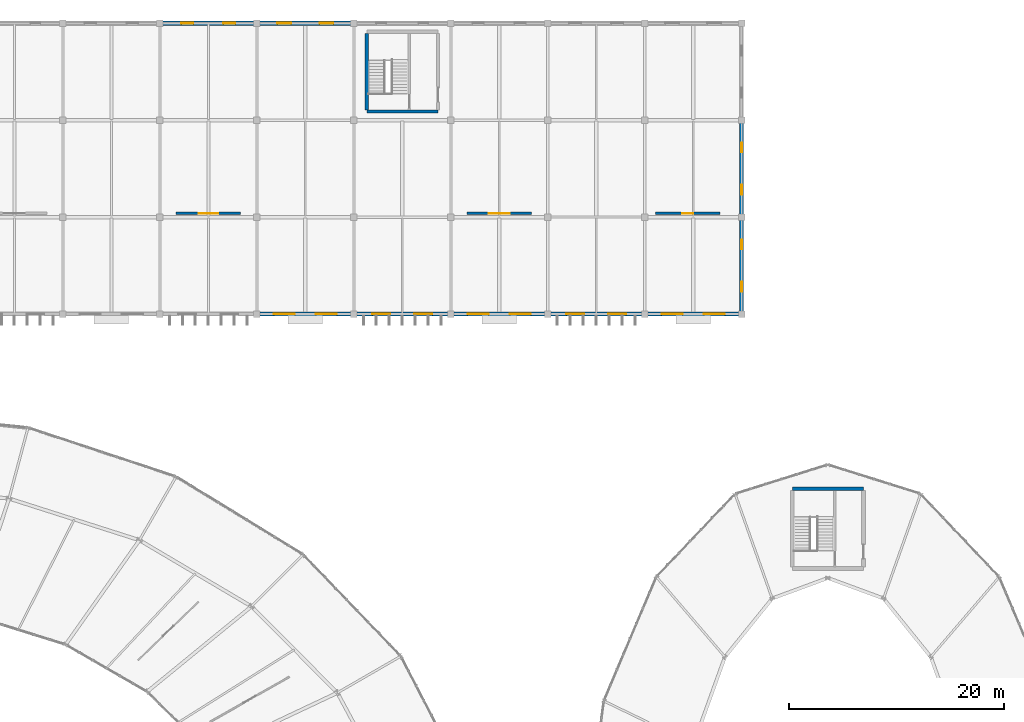
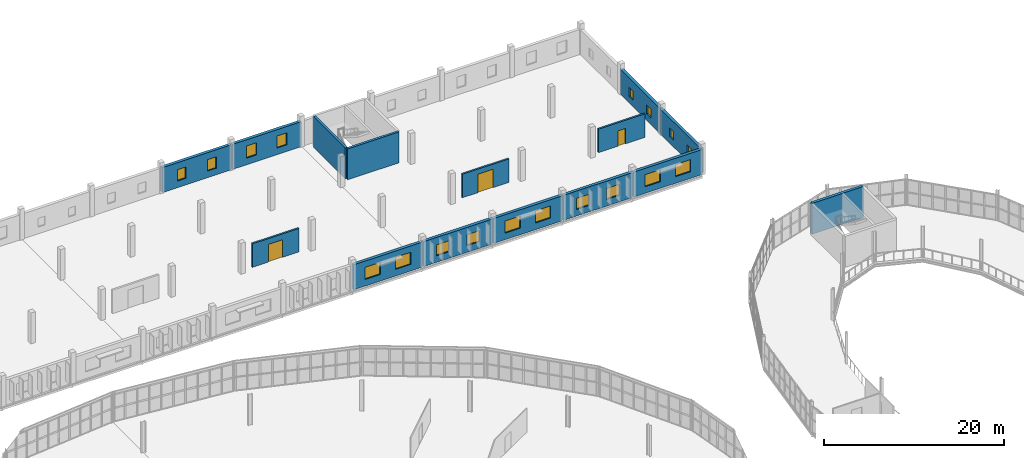
# One storey, part 147 of 161: 18 windows, 15 walls, 3 doors, 21 openings.
"""IFC4 building model written with IfcOpenShell, lengths in metres."""

import ifcopenshell
import ifcopenshell.guid

model = None  # the IFC model being written
_history = None  # IfcOwnerHistory: only IFC2X3 demands one
_inside = {}  # id of a spatial element -> (the spatial element, [elements in it])
_under = {}  # id of a project, library or spatial element -> (it, [spatial elements below it])
_declared = {}  # id of a project -> (the project, [libraries it declares])
_typed = {}  # id of a type object -> (the type object, [elements of that type])
_made_of = {}  # id of a material, layer set ... -> (it, [elements and type objects made of it])


def new_model(schema):
    """Start an empty IFC model of exactly this schema.

    Asked for "IFC4X3", IfcOpenShell would pick the latest addendum, in which some entities
    have other attributes; the version numbers below select the first issue.
    IFC2X3 requires an IfcOwnerHistory on every rooted entity: one is made here for all.
    """
    global model, _history
    if schema == "IFC4X3":
        model = ifcopenshell.file(schema_version=(4, 3, 0, 0))
    else:
        model = ifcopenshell.file(schema=schema)
    _inside.clear()
    _under.clear()
    _declared.clear()
    _typed.clear()
    _made_of.clear()
    _history = None
    if model.schema == "IFC2X3":
        org = make("IfcOrganization", Name="unknown")
        user = make(
            "IfcPersonAndOrganization",
            ThePerson=make("IfcPerson", FamilyName="unknown"),
            TheOrganization=org,
        )
        app = make(
            "IfcApplication",
            ApplicationDeveloper=org,
            Version="unknown",
            ApplicationFullName="unknown",
            ApplicationIdentifier="unknown",
        )
        _history = make(
            "IfcOwnerHistory",
            OwningUser=user,
            OwningApplication=app,
            ChangeAction="ADDED",
            CreationDate=0,
        )
    return model


def make(cls, **values):
    """One entity of the class cls with the attributes given. An attribute that is None is left unset."""
    return model.create_entity(
        cls, **{name: value for name, value in values.items() if value is not None}
    )


def rooted(cls, **values):
    """An entity with a GlobalId (a new one), such as an element, a storey or a relation."""
    return make(cls, GlobalId=ifcopenshell.guid.new(), OwnerHistory=_history, **values)


def si_unit(unit_type, name, prefix=None):
    """IfcSIUnit, for example si_unit("LENGTHUNIT", "METRE", prefix="MILLI")."""
    return make("IfcSIUnit", UnitType=unit_type, Prefix=prefix, Name=name)


def assignment(units):
    """IfcUnitAssignment: the units of a project."""
    return None if units is None else make("IfcUnitAssignment", Units=units)


def point(xyz):
    """IfcCartesianPoint."""
    return None if xyz is None else make("IfcCartesianPoint", Coordinates=xyz)


def direction(xyz):
    """IfcDirection."""
    return None if xyz is None else make("IfcDirection", DirectionRatios=xyz)


def frame(location, z_axis=None, x_axis=None):
    """IfcAxis2Placement3D, a coordinate frame: its origin and axes. An axis left out is left unset."""
    return make(
        "IfcAxis2Placement3D",
        Location=point(location),
        Axis=direction(z_axis),
        RefDirection=direction(x_axis),
    )


def frame_2d(location, x_axis=None):
    """IfcAxis2Placement2D, a coordinate frame in the plane: its origin and x axis."""
    return make(
        "IfcAxis2Placement2D", Location=point(location), RefDirection=direction(x_axis)
    )


def origin():
    """The frame at (0, 0, 0) with its axes left unset."""
    return frame((0.0, 0.0, 0.0))


def place(relative_to, where):
    """IfcLocalPlacement: puts the frame where relative to a parent placement (None: the world)."""
    return make(
        "IfcLocalPlacement", PlacementRelTo=relative_to, RelativePlacement=where
    )


def context(
    kind, dimensions, precision=None, world=None, true_north=None, identifier=None
):
    """IfcGeometricRepresentationContext, for example the 3D "Model" context."""
    return make(
        "IfcGeometricRepresentationContext",
        ContextIdentifier=identifier,
        ContextType=kind,
        CoordinateSpaceDimension=dimensions,
        Precision=precision,
        WorldCoordinateSystem=world,
        TrueNorth=true_north,
    )


def subcontext(parent, identifier, kind, view, scale=None):
    """IfcGeometricRepresentationSubContext, for example "Body" below "Model"."""
    return make(
        "IfcGeometricRepresentationSubContext",
        ContextIdentifier=identifier,
        ContextType=kind,
        ParentContext=parent,
        TargetScale=scale,
        TargetView=view,
    )


def project(units=None, contexts=None):
    """IfcProject with its units and contexts."""
    return rooted(
        "IfcProject",
        Name="project",
        RepresentationContexts=contexts,
        UnitsInContext=assignment(units),
    )


def spatial(cls, under=None, at=None, **own):
    """A site, building, storey or space (cls), placed at a placement, below another one or the project."""
    s = rooted(cls, ObjectPlacement=at, **own)
    if under is not None:
        _under.setdefault(under.id(), (under, []))[1].append(s)
    return s


def profile(cls, at=None, kind="AREA", **sizes):
    """A parametric profile (cls). Its sizes go by their IFC names, for example OverallWidth=200.0."""
    return make(cls, ProfileType=kind, Position=at, **sizes)


def rectangle(**sizes):
    """IfcRectangleProfileDef."""
    return profile("IfcRectangleProfileDef", **sizes)


def extrude(swept, where, along, depth):
    """IfcExtrudedAreaSolid: the profile swept, set in the frame where, extruded along a direction by depth."""
    return make(
        "IfcExtrudedAreaSolid",
        SweptArea=swept,
        Position=where,
        ExtrudedDirection=direction(along),
        Depth=depth,
    )


def shape(context_of_items, identifier, shape_type, items):
    """IfcShapeRepresentation: the items that make up one representation, for example the "Body"."""
    return make(
        "IfcShapeRepresentation",
        ContextOfItems=context_of_items,
        RepresentationIdentifier=identifier,
        RepresentationType=shape_type,
        Items=items,
    )


def material(Name=None, Category=None):
    """IfcMaterial."""
    return make("IfcMaterial", Name=Name, Category=Category)


def layer(
    of_material, thickness, ventilated=None, Name=None, Category=None, Priority=None
):
    """IfcMaterialLayer: one layer of a wall or slab, of a material (None: an air gap)."""
    return make(
        "IfcMaterialLayer",
        Material=of_material,
        LayerThickness=thickness,
        IsVentilated=ventilated,
        Name=Name,
        Category=Category,
        Priority=Priority,
    )


def layer_set(layers, Name=None):
    """IfcMaterialLayerSet."""
    return make("IfcMaterialLayerSet", MaterialLayers=layers, LayerSetName=Name)


def made_of(thing, what):
    """Note that an element or type object is made of a material, layer set ...; save() writes the relation."""
    if what is not None:
        _made_of.setdefault(what.id(), (what, []))[1].append(thing)
    return thing


def type_object(cls, material=None, **own):
    """A type object (cls), such as IfcWallType, which elements share."""
    return made_of(rooted(cls, **own), material)


def element(
    cls,
    number,
    at=None,
    inside=None,
    cuts=None,
    type_object=None,
    material=None,
    context=None,
    identifier="Body",
    shape_type=None,
    held_by="IfcProductDefinitionShape",
    body=None,
    shapes=None,
    **own,
):
    """One element of the class cls, such as IfcWall. Its Tag is "e" and its number.

    at: its placement. inside: the storey or other place that contains it. cuts: it is an
    opening in that element (IfcRelVoidsElement). A single representation is given by context,
    identifier, shape_type and body (its items); several are given by shapes. held_by: the class
    of the entity that holds the representations. save() writes the other relations.
    """
    e = rooted(cls, Tag="e%d" % number, ObjectPlacement=at, **own)
    if body is not None:
        shapes = [shape(context, identifier, shape_type, body)]
    if shapes is not None:
        e.Representation = make(held_by, Representations=shapes)
    if inside is not None:
        _inside.setdefault(inside.id(), (inside, []))[1].append(e)
    if cuts is not None:
        rooted(
            "IfcRelVoidsElement", RelatingBuildingElement=cuts, RelatedOpeningElement=e
        )
    if type_object is not None:
        _typed.setdefault(type_object.id(), (type_object, []))[1].append(e)
    return made_of(e, material)


def fill(opening, filler):
    """IfcRelFillsElement: the door or window that sits in an opening."""
    return rooted(
        "IfcRelFillsElement",
        RelatingOpeningElement=opening,
        RelatedBuildingElement=filler,
    )


def aggregate(whole, parts):
    """IfcRelAggregates: a whole, such as a stair, and the parts it consists of."""
    return rooted("IfcRelAggregates", RelatingObject=whole, RelatedObjects=parts)


def save(model, path):
    """Write the relations noted so far, then the file.

    IfcRelAggregates (storeys below a building ...), IfcRelContainedInSpatialStructure (elements
    in a storey), IfcRelDefinesByType, IfcRelAssociatesMaterial and IfcRelDeclares: one each for
    every whole, place, type object, material and project.
    """
    for whole, parts in _under.values():
        aggregate(whole, parts)
    for where, things in _inside.values():
        rooted(
            "IfcRelContainedInSpatialStructure",
            RelatedElements=things,
            RelatingStructure=where,
        )
    for kind, things in _typed.values():
        rooted("IfcRelDefinesByType", RelatedObjects=things, RelatingType=kind)
    for what, things in _made_of.values():
        rooted("IfcRelAssociatesMaterial", RelatedObjects=things, RelatingMaterial=what)
    for by, libraries in _declared.values():
        rooted("IfcRelDeclares", RelatingContext=by, RelatedDefinitions=libraries)
    model.write(path)


model = new_model("IFC4")

# Units and contexts
model_context = context("Model", 3, precision=1e-05, world=origin(), true_north=direction((0.0, 1.0)))
body_context = subcontext(model_context, "Body", "Model", "MODEL_VIEW")
ifc_project = project(units=[si_unit("LENGTHUNIT", "METRE"), si_unit("AREAUNIT", "SQUARE_METRE"), si_unit("VOLUMEUNIT", "CUBIC_METRE"), si_unit("PLANEANGLEUNIT", "RADIAN"), si_unit("MASSUNIT", "GRAM", prefix="KILO")], contexts=[model_context])

# Site, building, storey
site_placement = place(None, origin())
site = spatial("IfcSite", under=ifc_project, at=site_placement, CompositionType="ELEMENT")
building_placement = place(site_placement, origin())
building = spatial("IfcBuilding", under=site, at=building_placement, Name="Kildeholm Park Wholesale Market", CompositionType="ELEMENT")
storey_placement = place(building_placement, frame((0.0, 0.0, 5.39990234375)))
storey = spatial("IfcBuildingStorey", under=building, at=storey_placement, Name="L01", CompositionType="ELEMENT", Elevation=5.39990234375)

# Wall, openings, windows
ifc_material_1 = material(Name="Precast concrete C40/50 insulated cold-store envelope wall", Category="concrete")
ifc_layer_1 = layer(ifc_material_1, 0.3798828125)
ifc_layer_set_1 = layer_set([ifc_layer_1], Name="Precast concrete C40/50 insulated cold-store envelope wall")
wall_type_1 = type_object("IfcWallType", Name="Exterior wall W-CS1 380 mm", PredefinedType="SOLIDWALL", material=ifc_layer_set_1)
wall_1_placement = place(storey_placement, frame((126.06005859375, 171.0, 0.0), z_axis=(0.0, 0.0, 1.0), x_axis=(1.0, 0.0, 0.0)))
wall_1 = element("IfcWall", 1, at=wall_1_placement, inside=storey, type_object=wall_type_1, Name="Exterior wall V4N-L01.15 WL-0351", PredefinedType="SOLIDWALL", context=body_context, shape_type="SweptSolid", body=[
    extrude(rectangle(XDim=8.8798828125, YDim=0.3798828125, at=frame_2d((4.43994140625, 0.0))), origin(), (0.0, 0.0, 1.0), 3.400146484375),
])
opening_1_placement = place(wall_1_placement, frame((1.926025390625, 0.0, 0.89990234375)))
opening_1 = element("IfcOpeningElement", 2, at=opening_1_placement, cuts=wall_1, Name="Opening WN-35", PredefinedType="OPENING", context=body_context, shape_type="SweptSolid", body=[
    extrude(rectangle(XDim=1.1201171875, YDim=1.550048828125, at=frame_2d((0.56005859375, 0.77490234375))), frame((0.0, 0.199951171875, 0.0), z_axis=(0.0, -1.0, 0.0), x_axis=(1.0, 0.0, 0.0)), (0.0, 0.0, 1.0), 0.39990234375),
])
opening_2_placement = place(wall_1_placement, frame((5.833984375, 0.0, 0.89990234375)))
opening_2 = element("IfcOpeningElement", 3, at=opening_2_placement, cuts=wall_1, Name="Opening WN-35", PredefinedType="OPENING", context=body_context, shape_type="SweptSolid", body=[
    extrude(rectangle(XDim=1.1201171875, YDim=1.550048828125, at=frame_2d((0.56005859375, 0.77490234375))), frame((0.0, 0.199951171875, 0.0), z_axis=(0.0, -1.0, 0.0), x_axis=(1.0, 0.0, 0.0)), (0.0, 0.0, 1.0), 0.39990234375),
])
ifc_material_2 = material(Name="Thermally broken aluminium and triple-glazed low-E glass", Category="aluminium")
window_type_1 = type_object("IfcWindowType", Name="Window WN-35 1120x1550", PartitioningType="SINGLE_PANEL", PredefinedType="WINDOW", material=ifc_material_2)
window_1_placement = place(opening_1_placement, origin())
window_1 = element("IfcWindow", 4, at=window_1_placement, inside=storey, type_object=window_type_1, Name="Window V4N-L01.15.1 WIN-0129", OverallHeight=1.550048828125, OverallWidth=1.1201171875, PartitioningType="SINGLE_PANEL", PredefinedType="WINDOW", context=body_context, shape_type="SweptSolid", body=[
    extrude(rectangle(XDim=1.1201171875, YDim=1.550048828125, at=frame_2d((0.56005859375, 0.77490234375))), frame((0.0, 0.030029296875, 0.0), z_axis=(0.0, -1.0, 0.0), x_axis=(1.0, 0.0, 0.0)), (0.0, 0.0, 1.0), 0.06005859375),
])
fill(opening_1, window_1)
window_2_placement = place(opening_2_placement, origin())
window_2 = element("IfcWindow", 5, at=window_2_placement, inside=storey, type_object=window_type_1, Name="Window V4N-L01.15.2 WIN-0130", OverallHeight=1.550048828125, OverallWidth=1.1201171875, PartitioningType="SINGLE_PANEL", PredefinedType="WINDOW", context=body_context, shape_type="SweptSolid", body=[
    extrude(rectangle(XDim=1.1201171875, YDim=1.550048828125, at=frame_2d((0.56005859375, 0.77490234375))), frame((0.0, 0.030029296875, 0.0), z_axis=(0.0, -1.0, 0.0), x_axis=(1.0, 0.0, 0.0)), (0.0, 0.0, 1.0), 0.06005859375),
])
fill(opening_2, window_2)

wall_2_placement = place(storey_placement, frame((135.06005859375, 171.0, 0.0), z_axis=(0.0, 0.0, 1.0), x_axis=(1.0, 0.0, 0.0)))
wall_2 = element("IfcWall", 6, at=wall_2_placement, inside=storey, type_object=wall_type_1, Name="Exterior wall V4N-L01.16 WL-0352", PredefinedType="SOLIDWALL", context=body_context, shape_type="SweptSolid", body=[
    extrude(rectangle(XDim=8.8798828125, YDim=0.3798828125, at=frame_2d((4.43994140625, 0.0))), origin(), (0.0, 0.0, 1.0), 3.400146484375),
])
opening_3_placement = place(wall_2_placement, frame((1.845947265625, 0.0, 0.89990234375)))
opening_3 = element("IfcOpeningElement", 7, at=opening_3_placement, cuts=wall_2, Name="Opening WN-36", PredefinedType="OPENING", context=body_context, shape_type="SweptSolid", body=[
    extrude(rectangle(XDim=1.280029296875, YDim=1.64990234375, at=frame_2d((0.64013671875, 0.824951171875))), frame((0.0, 0.199951171875, 0.0), z_axis=(0.0, -1.0, 0.0), x_axis=(1.0, 0.0, 0.0)), (0.0, 0.0, 1.0), 0.39990234375),
])
opening_4_placement = place(wall_2_placement, frame((5.75390625, 0.0, 0.89990234375)))
opening_4 = element("IfcOpeningElement", 8, at=opening_4_placement, cuts=wall_2, Name="Opening WN-36", PredefinedType="OPENING", context=body_context, shape_type="SweptSolid", body=[
    extrude(rectangle(XDim=1.280029296875, YDim=1.64990234375, at=frame_2d((0.64013671875, 0.824951171875))), frame((0.0, 0.199951171875, 0.0), z_axis=(0.0, -1.0, 0.0), x_axis=(1.0, 0.0, 0.0)), (0.0, 0.0, 1.0), 0.39990234375),
])
window_type_2 = type_object("IfcWindowType", Name="Window WN-36 1280x1650", PartitioningType="DOUBLE_PANEL_VERTICAL", PredefinedType="WINDOW", material=ifc_material_2)
window_3_placement = place(opening_3_placement, origin())
window_3 = element("IfcWindow", 9, at=window_3_placement, inside=storey, type_object=window_type_2, Name="Window V4N-L01.16.1 WIN-0131", OverallHeight=1.64990234375, OverallWidth=1.280029296875, PartitioningType="SINGLE_PANEL", PredefinedType="WINDOW", context=body_context, shape_type="SweptSolid", body=[
    extrude(rectangle(XDim=1.280029296875, YDim=1.64990234375, at=frame_2d((0.64013671875, 0.824951171875))), frame((0.0, 0.030029296875, 0.0), z_axis=(0.0, -1.0, 0.0), x_axis=(1.0, 0.0, 0.0)), (0.0, 0.0, 1.0), 0.06005859375),
])
fill(opening_3, window_3)
window_4_placement = place(opening_4_placement, origin())
window_4 = element("IfcWindow", 10, at=window_4_placement, inside=storey, type_object=window_type_2, Name="Window V4N-L01.16.2 WIN-0132", OverallHeight=1.64990234375, OverallWidth=1.280029296875, PartitioningType="SINGLE_PANEL", PredefinedType="WINDOW", context=body_context, shape_type="SweptSolid", body=[
    extrude(rectangle(XDim=1.280029296875, YDim=1.64990234375, at=frame_2d((0.64013671875, 0.824951171875))), frame((0.0, 0.030029296875, 0.0), z_axis=(0.0, -1.0, 0.0), x_axis=(1.0, 0.0, 0.0)), (0.0, 0.0, 1.0), 0.06005859375),
])
fill(opening_4, window_4)

wall_3_placement = place(storey_placement, frame((180.0, 144.06005859375, 0.0), z_axis=(0.0, 0.0, 1.0), x_axis=(0.0, 1.0, 0.0)))
wall_3 = element("IfcWall", 11, at=wall_3_placement, inside=storey, type_object=wall_type_1, Name="Exterior wall V4E-L01.1 WL-0432", PredefinedType="SOLIDWALL", context=body_context, shape_type="SweptSolid", body=[
    extrude(rectangle(XDim=8.8798828125, YDim=0.3798828125, at=frame_2d((4.43994140625, 0.0))), origin(), (0.0, 0.0, 1.0), 3.400146484375),
])
opening_5_placement = place(wall_3_placement, frame((2.035888671875, 0.0, 0.89990234375)))
opening_5 = element("IfcOpeningElement", 12, at=opening_5_placement, cuts=wall_3, Name="Opening WN-17", PredefinedType="OPENING", context=body_context, shape_type="SweptSolid", body=[
    extrude(rectangle(XDim=0.89990234375, YDim=1.199951171875, at=frame_2d((0.449951171875, 0.60009765625))), frame((0.0, 0.199951171875, 0.0), z_axis=(0.0, -1.0, 0.0), x_axis=(1.0, 0.0, 0.0)), (0.0, 0.0, 1.0), 0.39990234375),
])
opening_6_placement = place(wall_3_placement, frame((5.944091796875, 0.0, 0.89990234375)))
opening_6 = element("IfcOpeningElement", 13, at=opening_6_placement, cuts=wall_3, Name="Opening WN-17", PredefinedType="OPENING", context=body_context, shape_type="SweptSolid", body=[
    extrude(rectangle(XDim=0.89990234375, YDim=1.199951171875, at=frame_2d((0.449951171875, 0.60009765625))), frame((0.0, 0.199951171875, 0.0), z_axis=(0.0, -1.0, 0.0), x_axis=(1.0, 0.0, 0.0)), (0.0, 0.0, 1.0), 0.39990234375),
])
window_type_3 = type_object("IfcWindowType", Name="Window WN-17 900x1200", PartitioningType="SINGLE_PANEL", PredefinedType="WINDOW", material=ifc_material_2)
window_5_placement = place(opening_5_placement, origin())
window_5 = element("IfcWindow", 14, at=window_5_placement, inside=storey, type_object=window_type_3, Name="Window V4E-L01.1.1 WIN-0223", OverallHeight=1.199951171875, OverallWidth=0.89990234375, PartitioningType="SINGLE_PANEL", PredefinedType="WINDOW", context=body_context, shape_type="SweptSolid", body=[
    extrude(rectangle(XDim=0.89990234375, YDim=1.199951171875, at=frame_2d((0.449951171875, 0.60009765625))), frame((0.0, 0.030029296875, 0.0), z_axis=(0.0, -1.0, 0.0), x_axis=(1.0, 0.0, 0.0)), (0.0, 0.0, 1.0), 0.06005859375),
])
fill(opening_5, window_5)
window_6_placement = place(opening_6_placement, origin())
window_6 = element("IfcWindow", 15, at=window_6_placement, inside=storey, type_object=window_type_3, Name="Window V4E-L01.1.2 WIN-0224", OverallHeight=1.199951171875, OverallWidth=0.89990234375, PartitioningType="SINGLE_PANEL", PredefinedType="WINDOW", context=body_context, shape_type="SweptSolid", body=[
    extrude(rectangle(XDim=0.89990234375, YDim=1.199951171875, at=frame_2d((0.449951171875, 0.60009765625))), frame((0.0, 0.030029296875, 0.0), z_axis=(0.0, -1.0, 0.0), x_axis=(1.0, 0.0, 0.0)), (0.0, 0.0, 1.0), 0.06005859375),
])
fill(opening_6, window_6)

wall_4_placement = place(storey_placement, frame((180.0, 153.06005859375, 0.0), z_axis=(0.0, 0.0, 1.0), x_axis=(0.0, 1.0, 0.0)))
wall_4 = element("IfcWall", 16, at=wall_4_placement, inside=storey, type_object=wall_type_1, Name="Exterior wall V4E-L01.2 WL-0433", PredefinedType="SOLIDWALL", context=body_context, shape_type="SweptSolid", body=[
    extrude(rectangle(XDim=8.8798828125, YDim=0.3798828125, at=frame_2d((4.43994140625, 0.0))), origin(), (0.0, 0.0, 1.0), 3.400146484375),
])
opening_7_placement = place(wall_4_placement, frame((2.035888671875, 0.0, 0.89990234375)))
opening_7 = element("IfcOpeningElement", 17, at=opening_7_placement, cuts=wall_4, Name="Opening WN-17", PredefinedType="OPENING", context=body_context, shape_type="SweptSolid", body=[
    extrude(rectangle(XDim=0.89990234375, YDim=1.199951171875, at=frame_2d((0.449951171875, 0.60009765625))), frame((0.0, 0.199951171875, 0.0), z_axis=(0.0, -1.0, 0.0), x_axis=(1.0, 0.0, 0.0)), (0.0, 0.0, 1.0), 0.39990234375),
])
opening_8_placement = place(wall_4_placement, frame((5.944091796875, 0.0, 0.89990234375)))
opening_8 = element("IfcOpeningElement", 18, at=opening_8_placement, cuts=wall_4, Name="Opening WN-17", PredefinedType="OPENING", context=body_context, shape_type="SweptSolid", body=[
    extrude(rectangle(XDim=0.89990234375, YDim=1.199951171875, at=frame_2d((0.449951171875, 0.60009765625))), frame((0.0, 0.199951171875, 0.0), z_axis=(0.0, -1.0, 0.0), x_axis=(1.0, 0.0, 0.0)), (0.0, 0.0, 1.0), 0.39990234375),
])
window_7_placement = place(opening_7_placement, origin())
window_7 = element("IfcWindow", 19, at=window_7_placement, inside=storey, type_object=window_type_3, Name="Window V4E-L01.2.1 WIN-0225", OverallHeight=1.199951171875, OverallWidth=0.89990234375, PartitioningType="SINGLE_PANEL", PredefinedType="WINDOW", context=body_context, shape_type="SweptSolid", body=[
    extrude(rectangle(XDim=0.89990234375, YDim=1.199951171875, at=frame_2d((0.449951171875, 0.60009765625))), frame((0.0, 0.030029296875, 0.0), z_axis=(0.0, -1.0, 0.0), x_axis=(1.0, 0.0, 0.0)), (0.0, 0.0, 1.0), 0.06005859375),
])
fill(opening_7, window_7)
window_8_placement = place(opening_8_placement, origin())
window_8 = element("IfcWindow", 20, at=window_8_placement, inside=storey, type_object=window_type_3, Name="Window V4E-L01.2.2 WIN-0226", OverallHeight=1.199951171875, OverallWidth=0.89990234375, PartitioningType="SINGLE_PANEL", PredefinedType="WINDOW", context=body_context, shape_type="SweptSolid", body=[
    extrude(rectangle(XDim=0.89990234375, YDim=1.199951171875, at=frame_2d((0.449951171875, 0.60009765625))), frame((0.0, 0.030029296875, 0.0), z_axis=(0.0, -1.0, 0.0), x_axis=(1.0, 0.0, 0.0)), (0.0, 0.0, 1.0), 0.06005859375),
])
fill(opening_8, window_8)

wall_5_placement = place(storey_placement, frame((135.06005859375, 144.0, 0.0), z_axis=(0.0, 0.0, 1.0), x_axis=(1.0, 0.0, 0.0)))
wall_5 = element("IfcWall", 21, at=wall_5_placement, inside=storey, type_object=wall_type_1, Name="Exterior wall V4S-L01.12 WL-0464", PredefinedType="SOLIDWALL", context=body_context, shape_type="SweptSolid", body=[
    extrude(rectangle(XDim=8.8798828125, YDim=0.3798828125, at=frame_2d((4.43994140625, 0.0))), origin(), (0.0, 0.0, 1.0), 3.400146484375),
])
opening_9_placement = place(wall_5_placement, frame((1.510986328125, 0.0, 0.89990234375)))
opening_9 = element("IfcOpeningElement", 22, at=opening_9_placement, cuts=wall_5, Name="Opening WN-22", PredefinedType="OPENING", context=body_context, shape_type="SweptSolid", body=[
    extrude(rectangle(XDim=1.949951171875, YDim=1.64990234375, at=frame_2d((0.97509765625, 0.824951171875))), frame((0.0, 0.199951171875, 0.0), z_axis=(0.0, -1.0, 0.0), x_axis=(1.0, 0.0, 0.0)), (0.0, 0.0, 1.0), 0.39990234375),
])
opening_10_placement = place(wall_5_placement, frame((5.4189453125, 0.0, 0.89990234375)))
opening_10 = element("IfcOpeningElement", 23, at=opening_10_placement, cuts=wall_5, Name="Opening WN-22", PredefinedType="OPENING", context=body_context, shape_type="SweptSolid", body=[
    extrude(rectangle(XDim=1.949951171875, YDim=1.64990234375, at=frame_2d((0.97509765625, 0.824951171875))), frame((0.0, 0.199951171875, 0.0), z_axis=(0.0, -1.0, 0.0), x_axis=(1.0, 0.0, 0.0)), (0.0, 0.0, 1.0), 0.39990234375),
])
window_type_4 = type_object("IfcWindowType", Name="Window WN-22 1950x1650", PartitioningType="DOUBLE_PANEL_VERTICAL", PredefinedType="WINDOW", material=ifc_material_2)
window_9_placement = place(opening_9_placement, origin())
window_9 = element("IfcWindow", 24, at=window_9_placement, inside=storey, type_object=window_type_4, Name="Window V4S-L01.12.1 WIN-0255", OverallHeight=1.64990234375, OverallWidth=1.949951171875, PartitioningType="SINGLE_PANEL", PredefinedType="WINDOW", context=body_context, shape_type="SweptSolid", body=[
    extrude(rectangle(XDim=1.949951171875, YDim=1.64990234375, at=frame_2d((0.97509765625, 0.824951171875))), frame((0.0, 0.030029296875, 0.0), z_axis=(0.0, -1.0, 0.0), x_axis=(1.0, 0.0, 0.0)), (0.0, 0.0, 1.0), 0.06005859375),
])
fill(opening_9, window_9)
window_10_placement = place(opening_10_placement, origin())
window_10 = element("IfcWindow", 25, at=window_10_placement, inside=storey, type_object=window_type_4, Name="Window V4S-L01.12.2 WIN-0256", OverallHeight=1.64990234375, OverallWidth=1.949951171875, PartitioningType="SINGLE_PANEL", PredefinedType="WINDOW", context=body_context, shape_type="SweptSolid", body=[
    extrude(rectangle(XDim=1.949951171875, YDim=1.64990234375, at=frame_2d((0.97509765625, 0.824951171875))), frame((0.0, 0.030029296875, 0.0), z_axis=(0.0, -1.0, 0.0), x_axis=(1.0, 0.0, 0.0)), (0.0, 0.0, 1.0), 0.06005859375),
])
fill(opening_10, window_10)

wall_6_placement = place(storey_placement, frame((144.06005859375, 144.0, 0.0), z_axis=(0.0, 0.0, 1.0), x_axis=(1.0, 0.0, 0.0)))
wall_6 = element("IfcWall", 26, at=wall_6_placement, inside=storey, type_object=wall_type_1, Name="Exterior wall V4S-L01.13 WL-0465", PredefinedType="SOLIDWALL", context=body_context, shape_type="SweptSolid", body=[
    extrude(rectangle(XDim=8.8798828125, YDim=0.3798828125, at=frame_2d((4.43994140625, 0.0))), origin(), (0.0, 0.0, 1.0), 3.400146484375),
])
opening_11_placement = place(wall_6_placement, frame((1.660888671875, 0.0, 0.89990234375)))
opening_11 = element("IfcOpeningElement", 27, at=opening_11_placement, cuts=wall_6, Name="Opening WN-11", PredefinedType="OPENING", context=body_context, shape_type="SweptSolid", body=[
    extrude(rectangle(XDim=1.64990234375, YDim=1.5, at=frame_2d((0.824951171875, 0.75))), frame((0.0, 0.199951171875, 0.0), z_axis=(0.0, -1.0, 0.0), x_axis=(1.0, 0.0, 0.0)), (0.0, 0.0, 1.0), 0.39990234375),
])
opening_12_placement = place(wall_6_placement, frame((5.569091796875, 0.0, 0.89990234375)))
opening_12 = element("IfcOpeningElement", 28, at=opening_12_placement, cuts=wall_6, Name="Opening WN-11", PredefinedType="OPENING", context=body_context, shape_type="SweptSolid", body=[
    extrude(rectangle(XDim=1.64990234375, YDim=1.5, at=frame_2d((0.824951171875, 0.75))), frame((0.0, 0.199951171875, 0.0), z_axis=(0.0, -1.0, 0.0), x_axis=(1.0, 0.0, 0.0)), (0.0, 0.0, 1.0), 0.39990234375),
])
window_type_5 = type_object("IfcWindowType", Name="Window WN-11 1650x1500", PartitioningType="DOUBLE_PANEL_VERTICAL", PredefinedType="WINDOW", material=ifc_material_2)
window_11_placement = place(opening_11_placement, origin())
window_11 = element("IfcWindow", 29, at=window_11_placement, inside=storey, type_object=window_type_5, Name="Window V4S-L01.13.1 WIN-0257", OverallHeight=1.5, OverallWidth=1.64990234375, PartitioningType="SINGLE_PANEL", PredefinedType="WINDOW", context=body_context, shape_type="SweptSolid", body=[
    extrude(rectangle(XDim=1.64990234375, YDim=1.5, at=frame_2d((0.824951171875, 0.75))), frame((0.0, 0.030029296875, 0.0), z_axis=(0.0, -1.0, 0.0), x_axis=(1.0, 0.0, 0.0)), (0.0, 0.0, 1.0), 0.06005859375),
])
fill(opening_11, window_11)
window_12_placement = place(opening_12_placement, origin())
window_12 = element("IfcWindow", 30, at=window_12_placement, inside=storey, type_object=window_type_5, Name="Window V4S-L01.13.2 WIN-0258", OverallHeight=1.5, OverallWidth=1.64990234375, PartitioningType="SINGLE_PANEL", PredefinedType="WINDOW", context=body_context, shape_type="SweptSolid", body=[
    extrude(rectangle(XDim=1.64990234375, YDim=1.5, at=frame_2d((0.824951171875, 0.75))), frame((0.0, 0.030029296875, 0.0), z_axis=(0.0, -1.0, 0.0), x_axis=(1.0, 0.0, 0.0)), (0.0, 0.0, 1.0), 0.06005859375),
])
fill(opening_12, window_12)

wall_7_placement = place(storey_placement, frame((153.06005859375, 144.0, 0.0), z_axis=(0.0, 0.0, 1.0), x_axis=(1.0, 0.0, 0.0)))
wall_7 = element("IfcWall", 31, at=wall_7_placement, inside=storey, type_object=wall_type_1, Name="Exterior wall V4S-L01.14 WL-0466", PredefinedType="SOLIDWALL", context=body_context, shape_type="SweptSolid", body=[
    extrude(rectangle(XDim=8.8798828125, YDim=0.3798828125, at=frame_2d((4.43994140625, 0.0))), origin(), (0.0, 0.0, 1.0), 3.400146484375),
])
opening_13_placement = place(wall_7_placement, frame((1.510986328125, 0.0, 0.89990234375)))
opening_13 = element("IfcOpeningElement", 32, at=opening_13_placement, cuts=wall_7, Name="Opening WN-22", PredefinedType="OPENING", context=body_context, shape_type="SweptSolid", body=[
    extrude(rectangle(XDim=1.949951171875, YDim=1.64990234375, at=frame_2d((0.97509765625, 0.824951171875))), frame((0.0, 0.199951171875, 0.0), z_axis=(0.0, -1.0, 0.0), x_axis=(1.0, 0.0, 0.0)), (0.0, 0.0, 1.0), 0.39990234375),
])
opening_14_placement = place(wall_7_placement, frame((5.4189453125, 0.0, 0.89990234375)))
opening_14 = element("IfcOpeningElement", 33, at=opening_14_placement, cuts=wall_7, Name="Opening WN-22", PredefinedType="OPENING", context=body_context, shape_type="SweptSolid", body=[
    extrude(rectangle(XDim=1.949951171875, YDim=1.64990234375, at=frame_2d((0.97509765625, 0.824951171875))), frame((0.0, 0.199951171875, 0.0), z_axis=(0.0, -1.0, 0.0), x_axis=(1.0, 0.0, 0.0)), (0.0, 0.0, 1.0), 0.39990234375),
])
window_13_placement = place(opening_13_placement, origin())
window_13 = element("IfcWindow", 34, at=window_13_placement, inside=storey, type_object=window_type_4, Name="Window V4S-L01.14.1 WIN-0259", OverallHeight=1.64990234375, OverallWidth=1.949951171875, PartitioningType="SINGLE_PANEL", PredefinedType="WINDOW", context=body_context, shape_type="SweptSolid", body=[
    extrude(rectangle(XDim=1.949951171875, YDim=1.64990234375, at=frame_2d((0.97509765625, 0.824951171875))), frame((0.0, 0.030029296875, 0.0), z_axis=(0.0, -1.0, 0.0), x_axis=(1.0, 0.0, 0.0)), (0.0, 0.0, 1.0), 0.06005859375),
])
fill(opening_13, window_13)
window_14_placement = place(opening_14_placement, origin())
window_14 = element("IfcWindow", 35, at=window_14_placement, inside=storey, type_object=window_type_4, Name="Window V4S-L01.14.2 WIN-0260", OverallHeight=1.64990234375, OverallWidth=1.949951171875, PartitioningType="SINGLE_PANEL", PredefinedType="WINDOW", context=body_context, shape_type="SweptSolid", body=[
    extrude(rectangle(XDim=1.949951171875, YDim=1.64990234375, at=frame_2d((0.97509765625, 0.824951171875))), frame((0.0, 0.030029296875, 0.0), z_axis=(0.0, -1.0, 0.0), x_axis=(1.0, 0.0, 0.0)), (0.0, 0.0, 1.0), 0.06005859375),
])
fill(opening_14, window_14)

wall_8_placement = place(storey_placement, frame((162.06005859375, 144.0, 0.0), z_axis=(0.0, 0.0, 1.0), x_axis=(1.0, 0.0, 0.0)))
wall_8 = element("IfcWall", 36, at=wall_8_placement, inside=storey, type_object=wall_type_1, Name="Exterior wall V4S-L01.15 WL-0467", PredefinedType="SOLIDWALL", context=body_context, shape_type="SweptSolid", body=[
    extrude(rectangle(XDim=8.8798828125, YDim=0.3798828125, at=frame_2d((4.43994140625, 0.0))), origin(), (0.0, 0.0, 1.0), 3.400146484375),
])
opening_15_placement = place(wall_8_placement, frame((1.660888671875, 0.0, 0.89990234375)))
opening_15 = element("IfcOpeningElement", 37, at=opening_15_placement, cuts=wall_8, Name="Opening WN-11", PredefinedType="OPENING", context=body_context, shape_type="SweptSolid", body=[
    extrude(rectangle(XDim=1.64990234375, YDim=1.5, at=frame_2d((0.824951171875, 0.75))), frame((0.0, 0.199951171875, 0.0), z_axis=(0.0, -1.0, 0.0), x_axis=(1.0, 0.0, 0.0)), (0.0, 0.0, 1.0), 0.39990234375),
])
opening_16_placement = place(wall_8_placement, frame((5.569091796875, 0.0, 0.89990234375)))
opening_16 = element("IfcOpeningElement", 38, at=opening_16_placement, cuts=wall_8, Name="Opening WN-11", PredefinedType="OPENING", context=body_context, shape_type="SweptSolid", body=[
    extrude(rectangle(XDim=1.64990234375, YDim=1.5, at=frame_2d((0.824951171875, 0.75))), frame((0.0, 0.199951171875, 0.0), z_axis=(0.0, -1.0, 0.0), x_axis=(1.0, 0.0, 0.0)), (0.0, 0.0, 1.0), 0.39990234375),
])
window_15_placement = place(opening_15_placement, origin())
window_15 = element("IfcWindow", 39, at=window_15_placement, inside=storey, type_object=window_type_5, Name="Window V4S-L01.15.1 WIN-0261", OverallHeight=1.5, OverallWidth=1.64990234375, PartitioningType="SINGLE_PANEL", PredefinedType="WINDOW", context=body_context, shape_type="SweptSolid", body=[
    extrude(rectangle(XDim=1.64990234375, YDim=1.5, at=frame_2d((0.824951171875, 0.75))), frame((0.0, 0.030029296875, 0.0), z_axis=(0.0, -1.0, 0.0), x_axis=(1.0, 0.0, 0.0)), (0.0, 0.0, 1.0), 0.06005859375),
])
fill(opening_15, window_15)
window_16_placement = place(opening_16_placement, origin())
window_16 = element("IfcWindow", 40, at=window_16_placement, inside=storey, type_object=window_type_5, Name="Window V4S-L01.15.2 WIN-0262", OverallHeight=1.5, OverallWidth=1.64990234375, PartitioningType="SINGLE_PANEL", PredefinedType="WINDOW", context=body_context, shape_type="SweptSolid", body=[
    extrude(rectangle(XDim=1.64990234375, YDim=1.5, at=frame_2d((0.824951171875, 0.75))), frame((0.0, 0.030029296875, 0.0), z_axis=(0.0, -1.0, 0.0), x_axis=(1.0, 0.0, 0.0)), (0.0, 0.0, 1.0), 0.06005859375),
])
fill(opening_16, window_16)

wall_9_placement = place(storey_placement, frame((171.06005859375, 144.0, 0.0), z_axis=(0.0, 0.0, 1.0), x_axis=(1.0, 0.0, 0.0)))
wall_9 = element("IfcWall", 41, at=wall_9_placement, inside=storey, type_object=wall_type_1, Name="Exterior wall V4S-L01.16 WL-0468", PredefinedType="SOLIDWALL", context=body_context, shape_type="SweptSolid", body=[
    extrude(rectangle(XDim=8.8798828125, YDim=0.3798828125, at=frame_2d((4.43994140625, 0.0))), origin(), (0.0, 0.0, 1.0), 3.400146484375),
])
opening_17_placement = place(wall_9_placement, frame((1.510986328125, 0.0, 0.89990234375)))
opening_17 = element("IfcOpeningElement", 42, at=opening_17_placement, cuts=wall_9, Name="Opening WN-22", PredefinedType="OPENING", context=body_context, shape_type="SweptSolid", body=[
    extrude(rectangle(XDim=1.949951171875, YDim=1.64990234375, at=frame_2d((0.97509765625, 0.824951171875))), frame((0.0, 0.199951171875, 0.0), z_axis=(0.0, -1.0, 0.0), x_axis=(1.0, 0.0, 0.0)), (0.0, 0.0, 1.0), 0.39990234375),
])
opening_18_placement = place(wall_9_placement, frame((5.4189453125, 0.0, 0.89990234375)))
opening_18 = element("IfcOpeningElement", 43, at=opening_18_placement, cuts=wall_9, Name="Opening WN-22", PredefinedType="OPENING", context=body_context, shape_type="SweptSolid", body=[
    extrude(rectangle(XDim=1.949951171875, YDim=1.64990234375, at=frame_2d((0.97509765625, 0.824951171875))), frame((0.0, 0.199951171875, 0.0), z_axis=(0.0, -1.0, 0.0), x_axis=(1.0, 0.0, 0.0)), (0.0, 0.0, 1.0), 0.39990234375),
])
window_17_placement = place(opening_17_placement, origin())
window_17 = element("IfcWindow", 44, at=window_17_placement, inside=storey, type_object=window_type_4, Name="Window V4S-L01.16.1 WIN-0263", OverallHeight=1.64990234375, OverallWidth=1.949951171875, PartitioningType="SINGLE_PANEL", PredefinedType="WINDOW", context=body_context, shape_type="SweptSolid", body=[
    extrude(rectangle(XDim=1.949951171875, YDim=1.64990234375, at=frame_2d((0.97509765625, 0.824951171875))), frame((0.0, 0.030029296875, 0.0), z_axis=(0.0, -1.0, 0.0), x_axis=(1.0, 0.0, 0.0)), (0.0, 0.0, 1.0), 0.06005859375),
])
fill(opening_17, window_17)
window_18_placement = place(opening_18_placement, origin())
window_18 = element("IfcWindow", 45, at=window_18_placement, inside=storey, type_object=window_type_4, Name="Window V4S-L01.16.2 WIN-0264", OverallHeight=1.64990234375, OverallWidth=1.949951171875, PartitioningType="SINGLE_PANEL", PredefinedType="WINDOW", context=body_context, shape_type="SweptSolid", body=[
    extrude(rectangle(XDim=1.949951171875, YDim=1.64990234375, at=frame_2d((0.97509765625, 0.824951171875))), frame((0.0, 0.030029296875, 0.0), z_axis=(0.0, -1.0, 0.0), x_axis=(1.0, 0.0, 0.0)), (0.0, 0.0, 1.0), 0.06005859375),
])
fill(opening_18, window_18)

# Wall, opening, door
ifc_material_3 = material(Name="Insulated cold-store internal sandwich wall")
ifc_layer_2 = layer(ifc_material_3, 0.22509765625)
ifc_layer_set_2 = layer_set([ifc_layer_2], Name="Insulated cold-store internal sandwich wall")
wall_type_2 = type_object("IfcWallType", Name="Partition W-PT09 225 mm", PredefinedType="PARTITIONING", material=ifc_layer_set_2)
wall_10_placement = place(storey_placement, frame((127.5, 153.35009765625, 0.0), z_axis=(0.0, 0.0, 1.0), x_axis=(1.0, 0.0, 0.0)))
wall_10 = element("IfcWall", 46, at=wall_10_placement, inside=storey, type_object=wall_type_2, Name="Interior partition W-V4-L01-CSS05 WL-0987", PredefinedType="PARTITIONING", context=body_context, shape_type="SweptSolid", body=[
    extrude(rectangle(XDim=6.0, YDim=0.22509765625, at=frame_2d((3.0, 0.0))), origin(), (0.0, 0.0, 1.0), 3.2001953125),
])
opening_19_placement = place(wall_10_placement, frame((2.10009765625, 0.0, 0.0)))
opening_19 = element("IfcOpeningElement", 47, at=opening_19_placement, cuts=wall_10, Name="Opening D-CS01", PredefinedType="OPENING", context=body_context, shape_type="SweptSolid", body=[
    extrude(rectangle(XDim=1.800048828125, YDim=2.39990234375, at=frame_2d((0.89990234375, 1.199951171875))), frame((0.0, 0.12255859375, 0.0), z_axis=(0.0, -1.0, 0.0), x_axis=(1.0, 0.0, 0.0)), (0.0, 0.0, 1.0), 0.2451171875),
])
ifc_material_4 = material(Name="Insulated stainless-steel sliding cold-store door", Category="steel")
door_type_1 = type_object("IfcDoorType", Name="Interior door D-CS01 1800x2400", OperationType="NOTDEFINED", PredefinedType="DOOR", material=ifc_material_4)
door_1_placement = place(opening_19_placement, origin())
door_1 = element("IfcDoor", 48, at=door_1_placement, inside=storey, type_object=door_type_1, Name="Interior door V4-L01-CSS05 DR-0262 WL-0987", OperationType="SLIDING_TO_RIGHT", OverallHeight=2.39990234375, OverallWidth=1.800048828125, PredefinedType="DOOR", context=body_context, shape_type="SweptSolid", body=[
    extrude(rectangle(XDim=1.800048828125, YDim=2.39990234375, at=frame_2d((0.89990234375, 1.199951171875))), frame((0.0, 0.02490234375, 0.0), z_axis=(0.0, -1.0, 0.0), x_axis=(1.0, 0.0, 0.0)), (0.0, 0.0, 1.0), 0.050048828125),
])
fill(opening_19, door_1)

wall_11_placement = place(storey_placement, frame((154.5, 153.35009765625, 0.0), z_axis=(0.0, 0.0, 1.0), x_axis=(1.0, 0.0, 0.0)))
wall_11 = element("IfcWall", 49, at=wall_11_placement, inside=storey, type_object=wall_type_2, Name="Interior partition W-V4-L01-CSS06 WL-0988", PredefinedType="PARTITIONING", context=body_context, shape_type="SweptSolid", body=[
    extrude(rectangle(XDim=6.0, YDim=0.22509765625, at=frame_2d((3.0, 0.0))), origin(), (0.0, 0.0, 1.0), 3.2001953125),
])
opening_20_placement = place(wall_11_placement, frame((2.02490234375, 0.0, 0.0)))
opening_20 = element("IfcOpeningElement", 50, at=opening_20_placement, cuts=wall_11, Name="Opening D-CS03", PredefinedType="OPENING", context=body_context, shape_type="SweptSolid", body=[
    extrude(rectangle(XDim=1.949951171875, YDim=2.5, at=frame_2d((0.97509765625, 1.25))), frame((0.0, 0.12255859375, 0.0), z_axis=(0.0, -1.0, 0.0), x_axis=(1.0, 0.0, 0.0)), (0.0, 0.0, 1.0), 0.2451171875),
])
ifc_material_5 = material(Name="Insulated stainless-steel dairy chiller sliding door", Category="steel")
door_type_2 = type_object("IfcDoorType", Name="Interior door D-CS03 1950x2500", OperationType="NOTDEFINED", PredefinedType="DOOR", material=ifc_material_5)
door_2_placement = place(opening_20_placement, origin())
door_2 = element("IfcDoor", 51, at=door_2_placement, inside=storey, type_object=door_type_2, Name="Interior door V4-L01-CSS06 DR-0263 WL-0988", OperationType="SLIDING_TO_LEFT", OverallHeight=2.5, OverallWidth=1.949951171875, PredefinedType="DOOR", context=body_context, shape_type="SweptSolid", body=[
    extrude(rectangle(XDim=1.949951171875, YDim=2.5, at=frame_2d((0.97509765625, 1.25))), frame((0.0, 0.02490234375, 0.0), z_axis=(0.0, -1.0, 0.0), x_axis=(1.0, 0.0, 0.0)), (0.0, 0.0, 1.0), 0.050048828125),
])
fill(opening_20, door_2)

wall_12_placement = place(storey_placement, frame((172.0, 153.35009765625, 0.0), z_axis=(0.0, 0.0, 1.0), x_axis=(1.0, 0.0, 0.0)))
wall_12 = element("IfcWall", 52, at=wall_12_placement, inside=storey, type_object=wall_type_2, Name="Interior partition W-V4-L01-CSS07 WL-0989", PredefinedType="PARTITIONING", context=body_context, shape_type="SweptSolid", body=[
    extrude(rectangle(XDim=6.0, YDim=0.22509765625, at=frame_2d((3.0, 0.0))), origin(), (0.0, 0.0, 1.0), 3.2001953125),
])
opening_21_placement = place(wall_12_placement, frame((2.5, 0.0, 0.0)))
opening_21 = element("IfcOpeningElement", 53, at=opening_21_placement, cuts=wall_12, Name="Opening D-IN02", PredefinedType="OPENING", context=body_context, shape_type="SweptSolid", body=[
    extrude(rectangle(XDim=1.0, YDim=2.10009765625, at=frame_2d((0.5, 1.050048828125))), frame((0.0, 0.12255859375, 0.0), z_axis=(0.0, -1.0, 0.0), x_axis=(1.0, 0.0, 0.0)), (0.0, 0.0, 1.0), 0.2451171875),
])
ifc_material_6 = material(Name="Hygienic laminate accessible WC doorset")
door_type_3 = type_object("IfcDoorType", Name="Interior door D-IN02 1000x2100", OperationType="NOTDEFINED", PredefinedType="DOOR", material=ifc_material_6)
door_3_placement = place(opening_21_placement, origin())
door_3 = element("IfcDoor", 54, at=door_3_placement, inside=storey, type_object=door_type_3, Name="Interior door V4-L01-CSS07 DR-0264 WL-0989", OperationType="SINGLE_SWING_RIGHT", OverallHeight=2.10009765625, OverallWidth=1.0, PredefinedType="DOOR", context=body_context, shape_type="SweptSolid", body=[
    extrude(rectangle(XDim=1.0, YDim=2.10009765625, at=frame_2d((0.5, 1.050048828125))), frame((0.0, 0.02490234375, 0.0), z_axis=(0.0, -1.0, 0.0), x_axis=(1.0, 0.0, 0.0)), (0.0, 0.0, 1.0), 0.050048828125),
])
fill(opening_21, door_3)

# Walls
ifc_material_7 = material(Name="Concrete C40/50", Category="concrete")
ifc_layer_3 = layer(ifc_material_7, 0.300048828125)
ifc_layer_set_3 = layer_set([ifc_layer_3], Name="Concrete C40/50")
wall_type_3 = type_object("IfcWallType", Name="Shear wall W-SH1 300 mm", PredefinedType="SHEAR", material=ifc_layer_set_3)
wall_13_placement = place(storey_placement, frame((145.199951171875, 162.800048828125, 0.0), z_axis=(0.0, 0.0, 1.0), x_axis=(1.0, 0.0, 0.0)))
element("IfcWall", 55, at=wall_13_placement, inside=storey, type_object=wall_type_3, Name="Core C03 south shear wall L01 WL-0694", PredefinedType="SHEAR", context=body_context, shape_type="SweptSolid", body=[
    extrude(rectangle(XDim=6.60009765625, YDim=0.300048828125, at=frame_2d((3.300048828125, 0.0))), origin(), (0.0, 0.0, 1.0), 4.2001953125),
])
wall_14_placement = place(storey_placement, frame((145.199951171875, 162.949951171875, 0.0), z_axis=(0.0, 0.0, 1.0), x_axis=(0.0, 1.0, 0.0)))
element("IfcWall", 56, at=wall_14_placement, inside=storey, type_object=wall_type_3, Name="Core C03 west shear wall L01 WL-0696", PredefinedType="SHEAR", context=body_context, shape_type="SweptSolid", body=[
    extrude(rectangle(XDim=7.10009765625, YDim=0.300048828125, at=frame_2d((3.550048828125, 0.0))), origin(), (0.0, 0.0, 1.0), 4.2001953125),
])
ifc_layer_4 = layer(ifc_material_7, 0.35009765625)
ifc_layer_set_4 = layer_set([ifc_layer_4], Name="Concrete C40/50")
wall_type_4 = type_object("IfcWallType", Name="Shear wall W-SH3 350 mm", PredefinedType="SHEAR", material=ifc_layer_set_4)
wall_15_placement = place(storey_placement, frame((184.699951171875, 127.800048828125, 0.0), z_axis=(0.0, 0.0, 1.0), x_axis=(1.0, 0.0, 0.0)))
element("IfcWall", 57, at=wall_15_placement, inside=storey, type_object=wall_type_4, Name="Core C13 north shear wall L01 WL-0882", PredefinedType="SHEAR", context=body_context, shape_type="SweptSolid", body=[
    extrude(rectangle(XDim=6.60009765625, YDim=0.35009765625, at=frame_2d((3.300048828125, 0.0))), origin(), (0.0, 0.0, 1.0), 4.2001953125),
])

save(model, "model.ifc")
